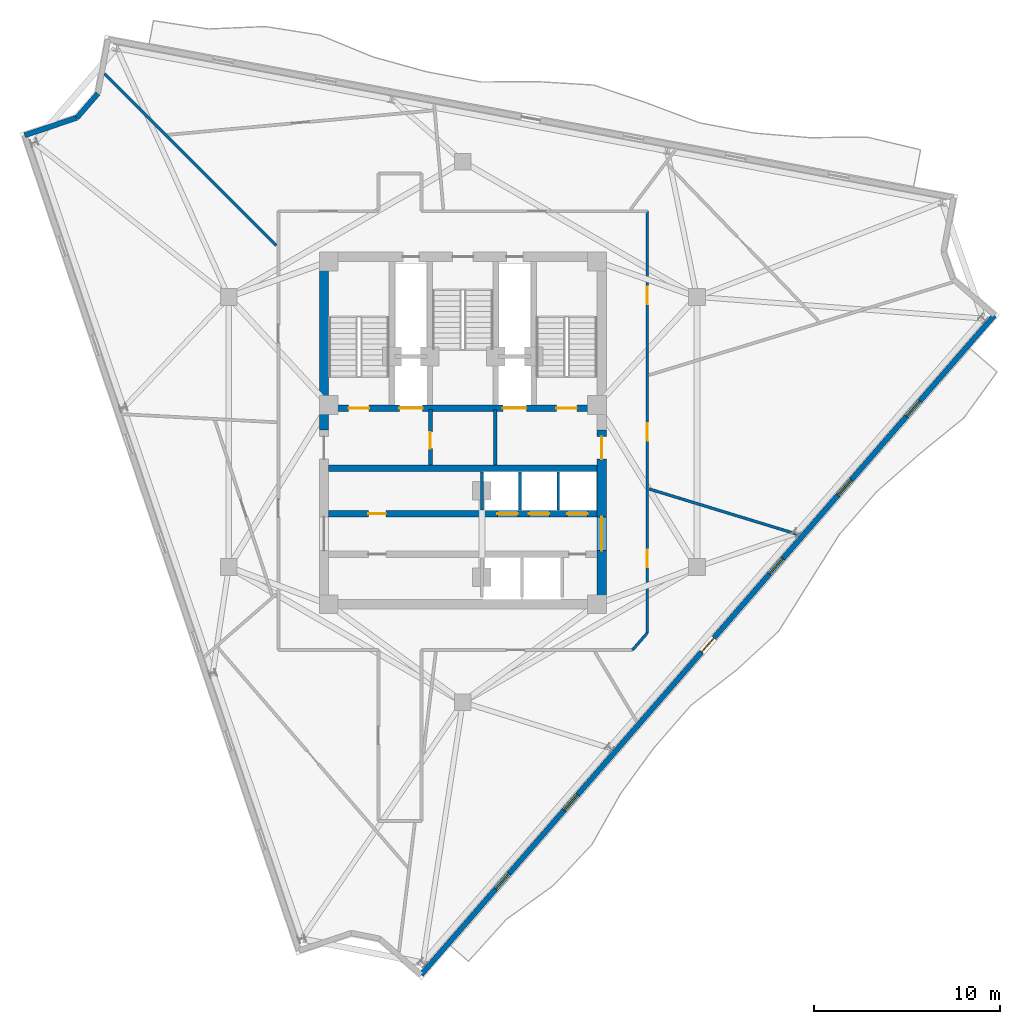
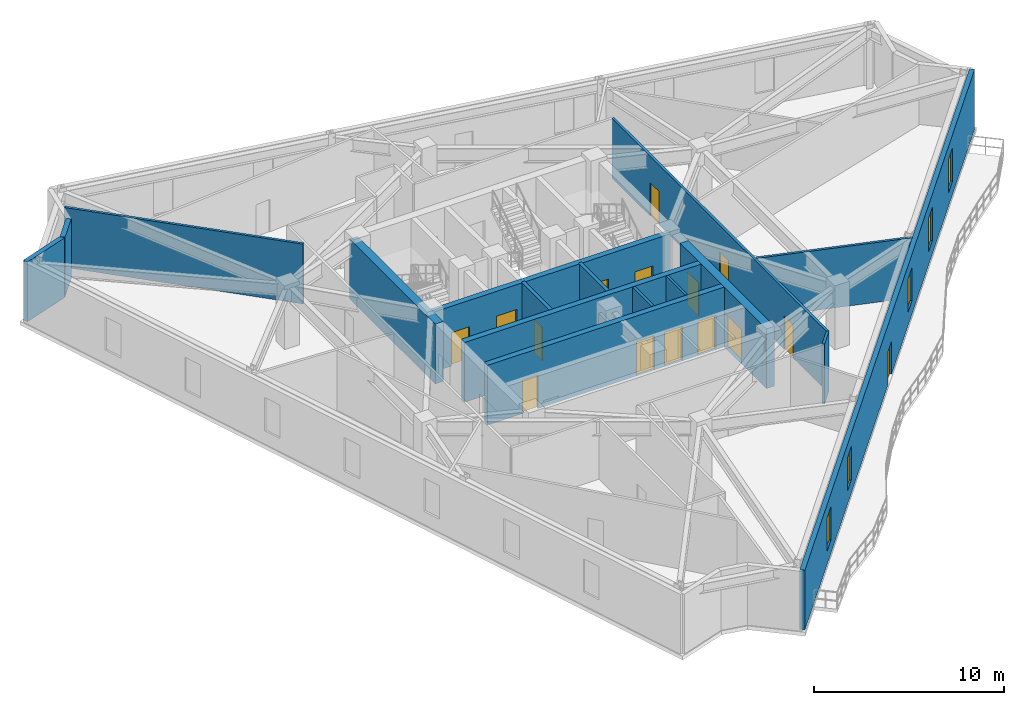
# One storey, part 5 of 10: 17 walls, 15 doors, 5 windows, 20 openings.
"""IFC4 building model written with IfcOpenShell, lengths in metres."""

from ifc_helpers import new_model, si_unit, direction, frame, frame_2d, origin, place, context, subcontext, project, spatial, rectangle, extrude, material, layer, layer_set, type_object, element, fill, save


model = new_model("IFC4")

# Units and contexts
model_context = context("Model", 3, precision=1e-05, world=origin(), true_north=direction((0.0, 1.0)))
body_context = subcontext(model_context, "Body", "Model", "MODEL_VIEW")
ifc_project = project(units=[si_unit("LENGTHUNIT", "METRE"), si_unit("AREAUNIT", "SQUARE_METRE"), si_unit("VOLUMEUNIT", "CUBIC_METRE"), si_unit("PLANEANGLEUNIT", "RADIAN"), si_unit("MASSUNIT", "GRAM", prefix="KILO")], contexts=[model_context])

# Site, building, storey
site_placement = place(None, origin())
site = spatial("IfcSite", under=ifc_project, at=site_placement, CompositionType="ELEMENT")
building_placement = place(site_placement, origin())
building = spatial("IfcBuilding", under=site, at=building_placement, Name="Apsidion Concourse Tower", CompositionType="ELEMENT")
storey_placement = place(building_placement, frame((0.0, 0.0, 286.0)))
storey = spatial("IfcBuildingStorey", under=building, at=storey_placement, Name="L67", CompositionType="ELEMENT", Elevation=286.0)

# Wall, openings, door, windows
ifc_material_1 = material(Name="Precast concrete C40/50", Category="concrete")
ifc_layer_1 = layer(ifc_material_1, 0.280029296875)
ifc_layer_set_1 = layer_set([ifc_layer_1], Name="Precast concrete C40/50")
wall_type_1 = type_object("IfcWallType", Name="WL-EXT-280", PredefinedType="STANDARD", material=ifc_layer_set_1)
wall_1_placement = place(storey_placement, frame((28.531494140625, 6.267578125, 0.0), z_axis=(0.0, 0.0, 1.0), x_axis=(-0.656055748756, -0.754712431674, 0.0)))
wall_1 = element("IfcWall", 1, at=wall_1_placement, inside=storey, type_object=wall_type_1, Name="L67 Precast Stone Facade Wall 05", PredefinedType="STANDARD", context=body_context, shape_type="SweptSolid", body=[
    extrude(rectangle(XDim=46.89697265625, YDim=0.280029296875, at=frame_2d((23.448486328125, 0.0))), origin(), (0.0, 0.0, 1.0), 3.85009765625),
])
opening_1_placement = place(wall_1_placement, frame((22.948486328125, 0.0, 0.0)))
opening_1 = element("IfcOpeningElement", 2, at=opening_1_placement, cuts=wall_1, Name="Opening D-T1R", PredefinedType="OPENING", context=body_context, shape_type="SweptSolid", body=[
    extrude(rectangle(XDim=1.0, YDim=2.14990234375, at=frame_2d((0.5, 1.074951171875))), frame((0.0, 0.14990234375, 0.0), z_axis=(0.0, -1.0, 0.0), x_axis=(1.0, 0.0, 0.0)), (0.0, 0.0, 1.0), 0.300048828125),
])
opening_2_placement = place(wall_1_placement, frame((6.0986328125, 0.0, 0.85009765625)))
opening_2 = element("IfcOpeningElement", 3, at=opening_2_placement, cuts=wall_1, Name="Opening WN-07", PredefinedType="OPENING", context=body_context, shape_type="SweptSolid", body=[
    extrude(rectangle(XDim=1.10009765625, YDim=2.14990234375, at=frame_2d((0.550048828125, 1.074951171875))), frame((0.0, 0.14990234375, 0.0), z_axis=(0.0, -1.0, 0.0), x_axis=(1.0, 0.0, 0.0)), (0.0, 0.0, 1.0), 0.300048828125),
])
opening_3_placement = place(wall_1_placement, frame((11.698486328125, 0.0, 0.85009765625)))
opening_3 = element("IfcOpeningElement", 4, at=opening_3_placement, cuts=wall_1, Name="Opening WN-07", PredefinedType="OPENING", context=body_context, shape_type="SweptSolid", body=[
    extrude(rectangle(XDim=1.10009765625, YDim=2.14990234375, at=frame_2d((0.550048828125, 1.074951171875))), frame((0.0, 0.14990234375, 0.0), z_axis=(0.0, -1.0, 0.0), x_axis=(1.0, 0.0, 0.0)), (0.0, 0.0, 1.0), 0.300048828125),
])
opening_4_placement = place(wall_1_placement, frame((17.298583984375, 0.0, 0.85009765625)))
opening_4 = element("IfcOpeningElement", 5, at=opening_4_placement, cuts=wall_1, Name="Opening WN-07", PredefinedType="OPENING", context=body_context, shape_type="SweptSolid", body=[
    extrude(rectangle(XDim=1.10009765625, YDim=2.14990234375, at=frame_2d((0.550048828125, 1.074951171875))), frame((0.0, 0.14990234375, 0.0), z_axis=(0.0, -1.0, 0.0), x_axis=(1.0, 0.0, 0.0)), (0.0, 0.0, 1.0), 0.300048828125),
])
opening_5_placement = place(wall_1_placement, frame((34.0986328125, 0.0, 0.85009765625)))
opening_5 = element("IfcOpeningElement", 6, at=opening_5_placement, cuts=wall_1, Name="Opening WN-07", PredefinedType="OPENING", context=body_context, shape_type="SweptSolid", body=[
    extrude(rectangle(XDim=1.10009765625, YDim=2.14990234375, at=frame_2d((0.550048828125, 1.074951171875))), frame((0.0, 0.14990234375, 0.0), z_axis=(0.0, -1.0, 0.0), x_axis=(1.0, 0.0, 0.0)), (0.0, 0.0, 1.0), 0.300048828125),
])
opening_6_placement = place(wall_1_placement, frame((39.698486328125, 0.0, 0.85009765625)))
opening_6 = element("IfcOpeningElement", 7, at=opening_6_placement, cuts=wall_1, Name="Opening WN-07", PredefinedType="OPENING", context=body_context, shape_type="SweptSolid", body=[
    extrude(rectangle(XDim=1.10009765625, YDim=2.14990234375, at=frame_2d((0.550048828125, 1.074951171875))), frame((0.0, 0.14990234375, 0.0), z_axis=(0.0, -1.0, 0.0), x_axis=(1.0, 0.0, 0.0)), (0.0, 0.0, 1.0), 0.300048828125),
])
ifc_material_2 = material(Name="Anodised aluminium EN AW-6063 T6", Category="aluminium")
door_type_1 = type_object("IfcDoorType", Name="DR-TER-1022R", OperationType="SINGLE_SWING_RIGHT", PredefinedType="DOOR", material=ifc_material_2)
door_1_placement = place(opening_1_placement, origin())
door_1 = element("IfcDoor", 8, at=door_1_placement, inside=storey, type_object=door_type_1, Name="L67 Balcony Access Door 1", OperationType="SINGLE_SWING_RIGHT", OverallHeight=2.14990234375, OverallWidth=1.0, PredefinedType="DOOR", context=body_context, shape_type="SweptSolid", body=[
    extrude(rectangle(XDim=1.0, YDim=2.14990234375, at=frame_2d((0.5, 1.074951171875))), frame((0.0, 0.02490234375, 0.0), z_axis=(0.0, -1.0, 0.0), x_axis=(1.0, 0.0, 0.0)), (0.0, 0.0, 1.0), 0.050048828125),
])
fill(opening_1, door_1)
ifc_material_3 = material(Name="Insulated laminated low-E glass", Category="glass")
window_type = type_object("IfcWindowType", Name="WN-OFF-1123", PartitioningType="SINGLE_PANEL", PredefinedType="WINDOW", material=ifc_material_3)
window_1_placement = place(opening_2_placement, origin())
window_1 = element("IfcWindow", 9, at=window_1_placement, inside=storey, type_object=window_type, Name="L67 Punched Facade Window 5-01", OverallHeight=2.14990234375, OverallWidth=1.10009765625, PartitioningType="SINGLE_PANEL", PredefinedType="WINDOW", context=body_context, shape_type="SweptSolid", body=[
    extrude(rectangle(XDim=1.10009765625, YDim=2.14990234375, at=frame_2d((0.550048828125, 1.074951171875))), frame((0.0, 0.030029296875, 0.0), z_axis=(0.0, -1.0, 0.0), x_axis=(1.0, 0.0, 0.0)), (0.0, 0.0, 1.0), 0.06005859375),
])
fill(opening_2, window_1)
window_2_placement = place(opening_3_placement, origin())
window_2 = element("IfcWindow", 10, at=window_2_placement, inside=storey, type_object=window_type, Name="L67 Punched Facade Window 5-02", OverallHeight=2.14990234375, OverallWidth=1.10009765625, PartitioningType="SINGLE_PANEL", PredefinedType="WINDOW", context=body_context, shape_type="SweptSolid", body=[
    extrude(rectangle(XDim=1.10009765625, YDim=2.14990234375, at=frame_2d((0.550048828125, 1.074951171875))), frame((0.0, 0.030029296875, 0.0), z_axis=(0.0, -1.0, 0.0), x_axis=(1.0, 0.0, 0.0)), (0.0, 0.0, 1.0), 0.06005859375),
])
fill(opening_3, window_2)
window_3_placement = place(opening_4_placement, origin())
window_3 = element("IfcWindow", 11, at=window_3_placement, inside=storey, type_object=window_type, Name="L67 Punched Facade Window 5-03", OverallHeight=2.14990234375, OverallWidth=1.10009765625, PartitioningType="SINGLE_PANEL", PredefinedType="WINDOW", context=body_context, shape_type="SweptSolid", body=[
    extrude(rectangle(XDim=1.10009765625, YDim=2.14990234375, at=frame_2d((0.550048828125, 1.074951171875))), frame((0.0, 0.030029296875, 0.0), z_axis=(0.0, -1.0, 0.0), x_axis=(1.0, 0.0, 0.0)), (0.0, 0.0, 1.0), 0.06005859375),
])
fill(opening_4, window_3)
window_4_placement = place(opening_5_placement, origin())
window_4 = element("IfcWindow", 12, at=window_4_placement, inside=storey, type_object=window_type, Name="L67 Punched Facade Window 5-06", OverallHeight=2.14990234375, OverallWidth=1.10009765625, PartitioningType="SINGLE_PANEL", PredefinedType="WINDOW", context=body_context, shape_type="SweptSolid", body=[
    extrude(rectangle(XDim=1.10009765625, YDim=2.14990234375, at=frame_2d((0.550048828125, 1.074951171875))), frame((0.0, 0.030029296875, 0.0), z_axis=(0.0, -1.0, 0.0), x_axis=(1.0, 0.0, 0.0)), (0.0, 0.0, 1.0), 0.06005859375),
])
fill(opening_5, window_4)
window_5_placement = place(opening_6_placement, origin())
window_5 = element("IfcWindow", 13, at=window_5_placement, inside=storey, type_object=window_type, Name="L67 Punched Facade Window 5-07", OverallHeight=2.14990234375, OverallWidth=1.10009765625, PartitioningType="SINGLE_PANEL", PredefinedType="WINDOW", context=body_context, shape_type="SweptSolid", body=[
    extrude(rectangle(XDim=1.10009765625, YDim=2.14990234375, at=frame_2d((0.550048828125, 1.074951171875))), frame((0.0, 0.030029296875, 0.0), z_axis=(0.0, -1.0, 0.0), x_axis=(1.0, 0.0, 0.0)), (0.0, 0.0, 1.0), 0.06005859375),
])
fill(opening_6, window_5)

# Walls
wall_2_placement = place(storey_placement, frame((-23.511474609375, 15.92431640625, 0.0), z_axis=(0.0, 0.0, 1.0), x_axis=(0.9478040536, 0.31885337693, 0.0)))
element("IfcWall", 14, at=wall_2_placement, inside=storey, type_object=wall_type_1, Name="L67 Precast Stone Facade Wall 10", PredefinedType="STANDARD", context=body_context, shape_type="SweptSolid", body=[
    extrude(rectangle(XDim=2.95556640625, YDim=0.280029296875, at=frame_2d((1.477783203125, 0.0))), origin(), (0.0, 0.0, 1.0), 3.85009765625),
])
wall_3_placement = place(storey_placement, frame((-20.710205078125, 16.86669921875, 0.0), z_axis=(0.0, 0.0, 1.0), x_axis=(0.656062411204, 0.754706640096, 0.0)))
element("IfcWall", 15, at=wall_3_placement, inside=storey, type_object=wall_type_1, Name="L67 Precast Stone Facade Wall 11", PredefinedType="STANDARD", context=body_context, shape_type="SweptSolid", body=[
    extrude(rectangle(XDim=1.715087890625, YDim=0.280029296875, at=frame_2d((0.857421875, 0.0))), origin(), (0.0, 0.0, 1.0), 3.85009765625),
])
ifc_material_4 = material(Name="Gypsum plasterboard partition")
ifc_layer_2 = layer(ifc_material_4, 0.14990234375)
ifc_layer_set_2 = layer_set([ifc_layer_2], Name="Gypsum plasterboard partition")
wall_type_2 = type_object("IfcWallType", Name="WL-INT-PAR-150", PredefinedType="PARTITIONING", material=ifc_layer_set_2)
for number, where, z_axis, x_axis, name in (
    (16, (3.074951171875, -4.179931640625, 0.0), (0.0, 0.0, 1.0), (0.0, 1.0, 0.0), "L67 Interior Partition WL-L67-B3DIV-1"),
    (17, (5.125, -4.179931640625, 0.0), (0.0, 0.0, 1.0), (0.0, 1.0, 0.0), "L67 Interior Partition WL-L67-B3DIV-2"),
):
    element("IfcWall", number, at=place(storey_placement, frame(where, z_axis=z_axis, x_axis=x_axis)), inside=storey, type_object=wall_type_2, Name=name, PredefinedType="PARTITIONING", context=body_context, shape_type="SweptSolid", body=[
        extrude(rectangle(XDim=2.030029296875, YDim=0.14990234375, at=frame_2d((1.01513671875, 0.0))), origin(), (0.0, 0.0, 1.0), 3.85009765625),
    ])

# Wall, openings, doors
wall_4_placement = place(storey_placement, frame((9.89990234375, 11.85009765625, 0.0), z_axis=(0.0, 0.0, 1.0), x_axis=(0.0, -1.0, 0.0)))
wall_4 = element("IfcWall", 18, at=wall_4_placement, inside=storey, type_object=wall_type_2, Name="L67 Interior Partition WL-L67-CORR-08", PredefinedType="PARTITIONING", context=body_context, shape_type="SweptSolid", body=[
    extrude(rectangle(XDim=22.633544921875, YDim=0.14990234375, at=frame_2d((11.31689453125, 0.0))), origin(), (0.0, 0.0, 1.0), 3.85009765625),
])
opening_7_placement = place(wall_4_placement, frame((18.166015625, 0.0, 0.0)))
opening_7 = element("IfcOpeningElement", 19, at=opening_7_placement, cuts=wall_4, Name="Opening D-01R", PredefinedType="OPENING", context=body_context, shape_type="SweptSolid", body=[
    extrude(rectangle(XDim=0.949951171875, YDim=2.14990234375, at=frame_2d((0.47509765625, 1.074951171875))), frame((0.0, 0.0849609375, 0.0), z_axis=(0.0, -1.0, 0.0), x_axis=(1.0, 0.0, 0.0)), (0.0, 0.0, 1.0), 0.169921875),
])
opening_8_placement = place(wall_4_placement, frame((11.3759765625, 0.0, 0.0)))
opening_8 = element("IfcOpeningElement", 20, at=opening_8_placement, cuts=wall_4, Name="Opening D-01L", PredefinedType="OPENING", context=body_context, shape_type="SweptSolid", body=[
    extrude(rectangle(XDim=0.949951171875, YDim=2.14990234375, at=frame_2d((0.47509765625, 1.074951171875))), frame((0.0, 0.0849609375, 0.0), z_axis=(0.0, -1.0, 0.0), x_axis=(1.0, 0.0, 0.0)), (0.0, 0.0, 1.0), 0.169921875),
])
opening_9_placement = place(wall_4_placement, frame((4.04931640625, 0.0, 0.0)))
opening_9 = element("IfcOpeningElement", 21, at=opening_9_placement, cuts=wall_4, Name="Opening D-01R", PredefinedType="OPENING", context=body_context, shape_type="SweptSolid", body=[
    extrude(rectangle(XDim=0.949951171875, YDim=2.14990234375, at=frame_2d((0.47509765625, 1.074951171875))), frame((0.0, 0.0849609375, 0.0), z_axis=(0.0, -1.0, 0.0), x_axis=(1.0, 0.0, 0.0)), (0.0, 0.0, 1.0), 0.169921875),
])
ifc_material_5 = material(Name="Brushed stainless steel 316", Category="steel")
door_type_2 = type_object("IfcDoorType", Name="DR-INT-D01L", OperationType="SINGLE_SWING_LEFT", PredefinedType="DOOR", material=ifc_material_5)
door_2_placement = place(opening_8_placement, origin())
door_2 = element("IfcDoor", 22, at=door_2_placement, inside=storey, type_object=door_type_2, Name="L67 Corridor Entry Door 05", OperationType="SINGLE_SWING_LEFT", OverallHeight=2.14990234375, OverallWidth=0.949951171875, PredefinedType="DOOR", context=body_context, shape_type="SweptSolid", body=[
    extrude(rectangle(XDim=0.949951171875, YDim=2.14990234375, at=frame_2d((0.47509765625, 1.074951171875))), frame((0.0, 0.02490234375, 0.0), z_axis=(0.0, -1.0, 0.0), x_axis=(1.0, 0.0, 0.0)), (0.0, 0.0, 1.0), 0.050048828125),
])
fill(opening_8, door_2)
door_type_3 = type_object("IfcDoorType", Name="DR-INT-D01R", OperationType="SINGLE_SWING_RIGHT", PredefinedType="DOOR", material=ifc_material_5)
door_3_placement = place(opening_7_placement, origin())
door_3 = element("IfcDoor", 23, at=door_3_placement, inside=storey, type_object=door_type_3, Name="L67 Corridor Entry Door 04", OperationType="SINGLE_SWING_RIGHT", OverallHeight=2.14990234375, OverallWidth=0.949951171875, PredefinedType="DOOR", context=body_context, shape_type="SweptSolid", body=[
    extrude(rectangle(XDim=0.949951171875, YDim=2.14990234375, at=frame_2d((0.47509765625, 1.074951171875))), frame((0.0, 0.02490234375, 0.0), z_axis=(0.0, -1.0, 0.0), x_axis=(1.0, 0.0, 0.0)), (0.0, 0.0, 1.0), 0.050048828125),
])
fill(opening_7, door_3)
door_4_placement = place(opening_9_placement, origin())
door_4 = element("IfcDoor", 24, at=door_4_placement, inside=storey, type_object=door_type_3, Name="L67 Corridor Entry Door 06", OperationType="SINGLE_SWING_RIGHT", OverallHeight=2.14990234375, OverallWidth=0.949951171875, PredefinedType="DOOR", context=body_context, shape_type="SweptSolid", body=[
    extrude(rectangle(XDim=0.949951171875, YDim=2.14990234375, at=frame_2d((0.47509765625, 1.074951171875))), frame((0.0, 0.02490234375, 0.0), z_axis=(0.0, -1.0, 0.0), x_axis=(1.0, 0.0, 0.0)), (0.0, 0.0, 1.0), 0.050048828125),
])
fill(opening_9, door_4)

# Walls
wall_5_placement = place(storey_placement, frame((9.89990234375, -10.783447265625, 0.0), z_axis=(0.0, 0.0, 1.0), x_axis=(-0.656024397367, -0.754739683639, 0.0)))
element("IfcWall", 25, at=wall_5_placement, inside=storey, type_object=wall_type_2, Name="L67 Interior Partition WL-L67-CORR-09", PredefinedType="PARTITIONING", context=body_context, shape_type="SweptSolid", body=[
    extrude(rectangle(XDim=1.21435546875, YDim=0.14990234375, at=frame_2d((0.607177734375, 0.0))), origin(), (0.0, 0.0, 1.0), 3.85009765625),
])
wall_6_placement = place(storey_placement, frame((-10.0048828125, 10.0048828125, 0.0), z_axis=(0.0, 0.0, 1.0), x_axis=(-0.707106781187, 0.707106781187, 0.0)))
element("IfcWall", 26, at=wall_6_placement, inside=storey, type_object=wall_type_2, Name="L67 Interior Partition WL-L67-RAD-04-1", PredefinedType="PARTITIONING", context=body_context, shape_type="SweptSolid", body=[
    extrude(rectangle(XDim=13.043212890625, YDim=0.14990234375, at=frame_2d((6.521484375, 0.0))), origin(), (0.0, 0.0, 1.0), 3.85009765625),
])
wall_7_placement = place(storey_placement, frame((10.0048828125, -3.058837890625, 0.0), z_axis=(0.0, 0.0, 1.0), x_axis=(0.956307313921, -0.292363337887, 0.0)))
element("IfcWall", 27, at=wall_7_placement, inside=storey, type_object=wall_type_2, Name="L67 Interior Partition WL-L67-RAD-09-1", PredefinedType="PARTITIONING", context=body_context, shape_type="SweptSolid", body=[
    extrude(rectangle(XDim=8.438232421875, YDim=0.14990234375, at=frame_2d((4.21923828125, 0.0))), origin(), (0.0, 0.0, 1.0), 3.85009765625),
])
ifc_layer_3 = layer(ifc_material_4, 0.179931640625)
ifc_layer_set_3 = layer_set([ifc_layer_3], Name="Gypsum plasterboard partition")
wall_type_3 = type_object("IfcWallType", Name="WL-INT-PAR-180", PredefinedType="PARTITIONING", material=ifc_layer_set_3)
wall_8_placement = place(storey_placement, frame((1.02490234375, -4.179931640625, 0.0), z_axis=(0.0, 0.0, 1.0), x_axis=(0.0, 1.0, 0.0)))
element("IfcWall", 28, at=wall_8_placement, inside=storey, type_object=wall_type_3, Name="L67 Interior Partition WL-L67-B1END", PredefinedType="PARTITIONING", context=body_context, shape_type="SweptSolid", body=[
    extrude(rectangle(XDim=2.030029296875, YDim=0.179931640625, at=frame_2d((1.01513671875, 0.0))), origin(), (0.0, 0.0, 1.0), 2.89794921875),
])

# Wall, opening, door
ifc_layer_4 = layer(ifc_material_4, 0.199951171875)
ifc_layer_set_4 = layer_set([ifc_layer_4], Name="Gypsum plasterboard partition")
wall_type_4 = type_object("IfcWallType", Name="WL-INT-PAR-200", PredefinedType="PARTITIONING", material=ifc_layer_set_4)
wall_9_placement = place(storey_placement, frame((-1.739990234375, -1.780029296875, 0.0), z_axis=(0.0, 0.0, 1.0), x_axis=(0.0, 1.0, 0.0)))
wall_9 = element("IfcWall", 29, at=wall_9_placement, inside=storey, type_object=wall_type_4, Name="L67 Interior Partition WL-L67-FF1-E", PredefinedType="PARTITIONING", context=body_context, shape_type="SweptSolid", body=[
    extrude(rectangle(XDim=2.97998046875, YDim=0.199951171875, at=frame_2d((1.489990234375, 0.0))), origin(), (0.0, 0.0, 1.0), 3.85009765625),
])
opening_10_placement = place(wall_9_placement, frame((0.889892578125, 0.0, 0.0)))
opening_10 = element("IfcOpeningElement", 30, at=opening_10_placement, cuts=wall_9, Name="Opening D-05R", PredefinedType="OPENING", context=body_context, shape_type="SweptSolid", body=[
    extrude(rectangle(XDim=0.8798828125, YDim=2.14990234375, at=frame_2d((0.43994140625, 1.074951171875))), frame((0.0, 0.10986328125, 0.0), z_axis=(0.0, -1.0, 0.0), x_axis=(1.0, 0.0, 0.0)), (0.0, 0.0, 1.0), 0.219970703125),
])
door_type_4 = type_object("IfcDoorType", Name="DR-INT-D05R", OperationType="SINGLE_SWING_RIGHT", PredefinedType="DOOR", material=ifc_material_5)
door_5_placement = place(opening_10_placement, origin())
door_5 = element("IfcDoor", 31, at=door_5_placement, inside=storey, type_object=door_type_4, Name="L67 Core BMS Door", OperationType="SINGLE_SWING_RIGHT", OverallHeight=2.14990234375, OverallWidth=0.8798828125, PredefinedType="DOOR", context=body_context, shape_type="SweptSolid", body=[
    extrude(rectangle(XDim=0.8798828125, YDim=2.14990234375, at=frame_2d((0.43994140625, 1.074951171875))), frame((0.0, 0.02490234375, 0.0), z_axis=(0.0, -1.0, 0.0), x_axis=(1.0, 0.0, 0.0)), (0.0, 0.0, 1.0), 0.050048828125),
])
fill(opening_10, door_5)

# Wall
wall_10_placement = place(storey_placement, frame((1.739990234375, -1.780029296875, 0.0), z_axis=(0.0, 0.0, 1.0), x_axis=(0.0, 1.0, 0.0)))
element("IfcWall", 32, at=wall_10_placement, inside=storey, type_object=wall_type_4, Name="L67 Interior Partition WL-L67-FF2-W", PredefinedType="PARTITIONING", context=body_context, shape_type="SweptSolid", body=[
    extrude(rectangle(XDim=2.97998046875, YDim=0.199951171875, at=frame_2d((1.489990234375, 0.0))), origin(), (0.0, 0.0, 1.0), 3.85009765625),
])

# Wall, openings, doors
ifc_material_6 = material(Name="Concrete C50/60", Category="concrete")
ifc_layer_5 = layer(ifc_material_6, 0.35009765625)
ifc_layer_set_5 = layer_set([ifc_layer_5], Name="Concrete C50/60")
wall_type_5 = type_object("IfcWallType", Name="WL-SH-350", PredefinedType="SHEAR", material=ifc_layer_set_5)
wall_11_placement = place(storey_placement, frame((-7.199951171875, 1.27490234375, 0.0), z_axis=(0.0, 0.0, 1.0), x_axis=(1.0, 0.0, 0.0)))
wall_11 = element("IfcWall", 33, at=wall_11_placement, inside=storey, type_object=wall_type_5, Name="L67 Central Core Shear Wall M1", PredefinedType="SHEAR", context=body_context, shape_type="SweptSolid", body=[
    extrude(rectangle(XDim=14.39990234375, YDim=0.35009765625, at=frame_2d((7.199951171875, 0.0))), origin(), (0.0, 0.0, 1.0), 3.85009765625),
])
opening_11_placement = place(wall_11_placement, frame((3.794921875, 0.0, 0.0)))
opening_11 = element("IfcOpeningElement", 34, at=opening_11_placement, cuts=wall_11, Name="Opening LD-FF", PredefinedType="OPENING", context=body_context, shape_type="SweptSolid", body=[
    extrude(rectangle(XDim=1.25, YDim=2.25, at=frame_2d((0.625, 1.125))), frame((0.0, 0.18505859375, 0.0), z_axis=(0.0, -1.0, 0.0), x_axis=(1.0, 0.0, 0.0)), (0.0, 0.0, 1.0), 0.3701171875),
])
opening_12_placement = place(wall_11_placement, frame((9.35498046875, 0.0, 0.0)))
opening_12 = element("IfcOpeningElement", 35, at=opening_12_placement, cuts=wall_11, Name="Opening LD-FF", PredefinedType="OPENING", context=body_context, shape_type="SweptSolid", body=[
    extrude(rectangle(XDim=1.25, YDim=2.25, at=frame_2d((0.625, 1.125))), frame((0.0, 0.18505859375, 0.0), z_axis=(0.0, -1.0, 0.0), x_axis=(1.0, 0.0, 0.0)), (0.0, 0.0, 1.0), 0.3701171875),
])
opening_13_placement = place(wall_11_placement, frame((1.074951171875, 0.0, 0.0)))
opening_13 = element("IfcOpeningElement", 36, at=opening_13_placement, cuts=wall_11, Name="Opening D-STL", PredefinedType="OPENING", context=body_context, shape_type="SweptSolid", body=[
    extrude(rectangle(XDim=1.10009765625, YDim=2.14990234375, at=frame_2d((0.550048828125, 1.074951171875))), frame((0.0, 0.18505859375, 0.0), z_axis=(0.0, -1.0, 0.0), x_axis=(1.0, 0.0, 0.0)), (0.0, 0.0, 1.0), 0.3701171875),
])
opening_14_placement = place(wall_11_placement, frame((12.22509765625, 0.0, 0.0)))
opening_14 = element("IfcOpeningElement", 37, at=opening_14_placement, cuts=wall_11, Name="Opening D-STR", PredefinedType="OPENING", context=body_context, shape_type="SweptSolid", body=[
    extrude(rectangle(XDim=1.10009765625, YDim=2.14990234375, at=frame_2d((0.550048828125, 1.074951171875))), frame((0.0, 0.18505859375, 0.0), z_axis=(0.0, -1.0, 0.0), x_axis=(1.0, 0.0, 0.0)), (0.0, 0.0, 1.0), 0.3701171875),
])
door_type_5 = type_object("IfcDoorType", Name="DR-INT-ST1L", OperationType="SINGLE_SWING_LEFT", PredefinedType="DOOR", material=ifc_material_5)
door_6_placement = place(opening_13_placement, origin())
door_6 = element("IfcDoor", 38, at=door_6_placement, inside=storey, type_object=door_type_5, Name="L67 Core Exit Stair ST1 Door", OperationType="SINGLE_SWING_LEFT", OverallHeight=2.14990234375, OverallWidth=1.10009765625, PredefinedType="DOOR", context=body_context, shape_type="SweptSolid", body=[
    extrude(rectangle(XDim=1.10009765625, YDim=2.14990234375, at=frame_2d((0.550048828125, 1.074951171875))), frame((0.0, 0.02490234375, 0.0), z_axis=(0.0, -1.0, 0.0), x_axis=(1.0, 0.0, 0.0)), (0.0, 0.0, 1.0), 0.050048828125),
])
fill(opening_13, door_6)
door_type_6 = type_object("IfcDoorType", Name="DR-INT-ST1R", OperationType="SINGLE_SWING_RIGHT", PredefinedType="DOOR", material=ifc_material_5)
door_7_placement = place(opening_14_placement, origin())
door_7 = element("IfcDoor", 39, at=door_7_placement, inside=storey, type_object=door_type_6, Name="L67 Core Exit Stair ST2 Door", OperationType="SINGLE_SWING_RIGHT", OverallHeight=2.14990234375, OverallWidth=1.10009765625, PredefinedType="DOOR", context=body_context, shape_type="SweptSolid", body=[
    extrude(rectangle(XDim=1.10009765625, YDim=2.14990234375, at=frame_2d((0.550048828125, 1.074951171875))), frame((0.0, 0.02490234375, 0.0), z_axis=(0.0, -1.0, 0.0), x_axis=(1.0, 0.0, 0.0)), (0.0, 0.0, 1.0), 0.050048828125),
])
fill(opening_14, door_7)
door_type_7 = type_object("IfcDoorType", Name="DR-LD-FSAE", OperationType="DOUBLE_DOOR_SLIDING", PredefinedType="DOOR", material=ifc_material_5)
door_8_placement = place(opening_11_placement, origin())
door_8 = element("IfcDoor", 40, at=door_8_placement, inside=storey, type_object=door_type_7, Name="L67 Lift Landing Door FF1", OperationType="DOUBLE_DOOR_SLIDING", OverallHeight=2.25, OverallWidth=1.25, PredefinedType="DOOR", context=body_context, shape_type="SweptSolid", body=[
    extrude(rectangle(XDim=1.25, YDim=2.25, at=frame_2d((0.625, 1.125))), frame((0.0, 0.02490234375, 0.0), z_axis=(0.0, -1.0, 0.0), x_axis=(1.0, 0.0, 0.0)), (0.0, 0.0, 1.0), 0.050048828125),
])
fill(opening_11, door_8)
door_9_placement = place(opening_12_placement, origin())
door_9 = element("IfcDoor", 41, at=door_9_placement, inside=storey, type_object=door_type_7, Name="L67 Lift Landing Door FF2", OperationType="DOUBLE_DOOR_SLIDING", OverallHeight=2.25, OverallWidth=1.25, PredefinedType="DOOR", context=body_context, shape_type="SweptSolid", body=[
    extrude(rectangle(XDim=1.25, YDim=2.25, at=frame_2d((0.625, 1.125))), frame((0.0, 0.02490234375, 0.0), z_axis=(0.0, -1.0, 0.0), x_axis=(1.0, 0.0, 0.0)), (0.0, 0.0, 1.0), 0.050048828125),
])
fill(opening_12, door_9)

# Wall
wall_12_placement = place(storey_placement, frame((-7.199951171875, -1.949951171875, 0.0), z_axis=(0.0, 0.0, 1.0), x_axis=(1.0, 0.0, 0.0)))
element("IfcWall", 42, at=wall_12_placement, inside=storey, type_object=wall_type_5, Name="L67 Central Core Shear Wall M2", PredefinedType="SHEAR", context=body_context, shape_type="SweptSolid", body=[
    extrude(rectangle(XDim=14.39990234375, YDim=0.35009765625, at=frame_2d((7.199951171875, 0.0))), origin(), (0.0, 0.0, 1.0), 3.85009765625),
])

# Wall, openings, doors
wall_13_placement = place(storey_placement, frame((-7.199951171875, -4.3798828125, 0.0), z_axis=(0.0, 0.0, 1.0), x_axis=(1.0, 0.0, 0.0)))
wall_13 = element("IfcWall", 43, at=wall_13_placement, inside=storey, type_object=wall_type_5, Name="L67 Central Core Shear Wall LA", PredefinedType="SHEAR", context=body_context, shape_type="SweptSolid", body=[
    extrude(rectangle(XDim=14.39990234375, YDim=0.35009765625, at=frame_2d((7.199951171875, 0.0))), origin(), (0.0, 0.0, 1.0), 3.85009765625),
])
opening_15_placement = place(wall_13_placement, frame((9.050048828125, 0.0, 0.0)))
opening_15 = element("IfcOpeningElement", 44, at=opening_15_placement, cuts=wall_13, Name="Opening LD-P1", PredefinedType="OPENING", context=body_context, shape_type="SweptSolid", body=[
    extrude(rectangle(XDim=1.10009765625, YDim=2.199951171875, at=frame_2d((0.550048828125, 1.10009765625))), frame((0.0, 0.18505859375, 0.0), z_axis=(0.0, -1.0, 0.0), x_axis=(1.0, 0.0, 0.0)), (0.0, 0.0, 1.0), 0.3701171875),
])
opening_16_placement = place(wall_13_placement, frame((10.75, 0.0, 0.0)))
opening_16 = element("IfcOpeningElement", 45, at=opening_16_placement, cuts=wall_13, Name="Opening LD-P1", PredefinedType="OPENING", context=body_context, shape_type="SweptSolid", body=[
    extrude(rectangle(XDim=1.10009765625, YDim=2.199951171875, at=frame_2d((0.550048828125, 1.10009765625))), frame((0.0, 0.18505859375, 0.0), z_axis=(0.0, -1.0, 0.0), x_axis=(1.0, 0.0, 0.0)), (0.0, 0.0, 1.0), 0.3701171875),
])
opening_17_placement = place(wall_13_placement, frame((12.800048828125, 0.0, 0.0)))
opening_17 = element("IfcOpeningElement", 46, at=opening_17_placement, cuts=wall_13, Name="Opening LD-P1", PredefinedType="OPENING", context=body_context, shape_type="SweptSolid", body=[
    extrude(rectangle(XDim=1.10009765625, YDim=2.199951171875, at=frame_2d((0.550048828125, 1.10009765625))), frame((0.0, 0.18505859375, 0.0), z_axis=(0.0, -1.0, 0.0), x_axis=(1.0, 0.0, 0.0)), (0.0, 0.0, 1.0), 0.3701171875),
])
opening_18_placement = place(wall_13_placement, frame((2.125, 0.0, 0.0)))
opening_18 = element("IfcOpeningElement", 47, at=opening_18_placement, cuts=wall_13, Name="Opening D-04L", PredefinedType="OPENING", context=body_context, shape_type="SweptSolid", body=[
    extrude(rectangle(XDim=0.949951171875, YDim=2.14990234375, at=frame_2d((0.47509765625, 1.074951171875))), frame((0.0, 0.18505859375, 0.0), z_axis=(0.0, -1.0, 0.0), x_axis=(1.0, 0.0, 0.0)), (0.0, 0.0, 1.0), 0.3701171875),
])
door_type_8 = type_object("IfcDoorType", Name="DR-INT-D04L", OperationType="SINGLE_SWING_LEFT", PredefinedType="DOOR", material=ifc_material_5)
door_10_placement = place(opening_18_placement, origin())
door_10 = element("IfcDoor", 48, at=door_10_placement, inside=storey, type_object=door_type_8, Name="L67 Tenant Archive and Print Room Door", OperationType="SINGLE_SWING_LEFT", OverallHeight=2.14990234375, OverallWidth=0.949951171875, PredefinedType="DOOR", context=body_context, shape_type="SweptSolid", body=[
    extrude(rectangle(XDim=0.949951171875, YDim=2.14990234375, at=frame_2d((0.47509765625, 1.074951171875))), frame((0.0, 0.02490234375, 0.0), z_axis=(0.0, -1.0, 0.0), x_axis=(1.0, 0.0, 0.0)), (0.0, 0.0, 1.0), 0.050048828125),
])
fill(opening_18, door_10)
door_type_9 = type_object("IfcDoorType", Name="DR-LD-PASS", OperationType="DOUBLE_DOOR_SLIDING", PredefinedType="DOOR", material=ifc_material_5)
door_11_placement = place(opening_15_placement, origin())
door_11 = element("IfcDoor", 49, at=door_11_placement, inside=storey, type_object=door_type_9, Name="L67 Lift Landing Door P9", OperationType="DOUBLE_DOOR_SLIDING", OverallHeight=2.199951171875, OverallWidth=1.10009765625, PredefinedType="DOOR", context=body_context, shape_type="SweptSolid", body=[
    extrude(rectangle(XDim=1.10009765625, YDim=2.199951171875, at=frame_2d((0.550048828125, 1.10009765625))), frame((0.0, 0.02490234375, 0.0), z_axis=(0.0, -1.0, 0.0), x_axis=(1.0, 0.0, 0.0)), (0.0, 0.0, 1.0), 0.050048828125),
])
fill(opening_15, door_11)
door_12_placement = place(opening_16_placement, origin())
door_12 = element("IfcDoor", 50, at=door_12_placement, inside=storey, type_object=door_type_9, Name="L67 Lift Landing Door P10", OperationType="DOUBLE_DOOR_SLIDING", OverallHeight=2.199951171875, OverallWidth=1.10009765625, PredefinedType="DOOR", context=body_context, shape_type="SweptSolid", body=[
    extrude(rectangle(XDim=1.10009765625, YDim=2.199951171875, at=frame_2d((0.550048828125, 1.10009765625))), frame((0.0, 0.02490234375, 0.0), z_axis=(0.0, -1.0, 0.0), x_axis=(1.0, 0.0, 0.0)), (0.0, 0.0, 1.0), 0.050048828125),
])
fill(opening_16, door_12)
door_13_placement = place(opening_17_placement, origin())
door_13 = element("IfcDoor", 51, at=door_13_placement, inside=storey, type_object=door_type_9, Name="L67 Lift Landing Door P11", OperationType="DOUBLE_DOOR_SLIDING", OverallHeight=2.199951171875, OverallWidth=1.10009765625, PredefinedType="DOOR", context=body_context, shape_type="SweptSolid", body=[
    extrude(rectangle(XDim=1.10009765625, YDim=2.199951171875, at=frame_2d((0.550048828125, 1.10009765625))), frame((0.0, 0.02490234375, 0.0), z_axis=(0.0, -1.0, 0.0), x_axis=(1.0, 0.0, 0.0)), (0.0, 0.0, 1.0), 0.050048828125),
])
fill(opening_17, door_13)

# Wall
ifc_layer_6 = layer(ifc_material_6, 0.5)
ifc_layer_set_6 = layer_set([ifc_layer_6], Name="Concrete C50/60")
wall_type_6 = type_object("IfcWallType", Name="WL-SH-500", PredefinedType="SHEAR", material=ifc_layer_set_6)
wall_14_placement = place(storey_placement, frame((-7.449951171875, 0.10009765625, 0.0), z_axis=(0.0, 0.0, 1.0), x_axis=(0.0, 1.0, 0.0)))
element("IfcWall", 52, at=wall_14_placement, inside=storey, type_object=wall_type_6, Name="L67 Central Core Shear Wall WN", PredefinedType="SHEAR", context=body_context, shape_type="SweptSolid", body=[
    extrude(rectangle(XDim=9.0498046875, YDim=0.5, at=frame_2d((4.52490234375, 0.0))), origin(), (0.0, 0.0, 1.0), 3.85009765625),
])

# Wall, openings, doors
wall_15_placement = place(storey_placement, frame((7.449951171875, -9.0, 0.0), z_axis=(0.0, 0.0, 1.0), x_axis=(0.0, 1.0, 0.0)))
wall_15 = element("IfcWall", 53, at=wall_15_placement, inside=storey, type_object=wall_type_6, Name="L67 Central Core Shear Wall ES", PredefinedType="SHEAR", context=body_context, shape_type="SweptSolid", body=[
    extrude(rectangle(XDim=9.10009765625, YDim=0.5, at=frame_2d((4.550048828125, 0.0))), origin(), (0.0, 0.0, 1.0), 3.85009765625),
])
opening_19_placement = place(wall_15_placement, frame((2.639892578125, 0.0, 0.0)))
opening_19 = element("IfcOpeningElement", 54, at=opening_19_placement, cuts=wall_15, Name="Opening D-06D", PredefinedType="OPENING", context=body_context, shape_type="SweptSolid", body=[
    extrude(rectangle(XDim=1.800048828125, YDim=2.199951171875, at=frame_2d((0.89990234375, 1.10009765625))), frame((0.0, 0.260009765625, 0.0), z_axis=(0.0, -1.0, 0.0), x_axis=(1.0, 0.0, 0.0)), (0.0, 0.0, 1.0), 0.52001953125),
])
opening_20_placement = place(wall_15_placement, frame((7.550048828125, 0.0, 0.0)))
opening_20 = element("IfcOpeningElement", 55, at=opening_20_placement, cuts=wall_15, Name="Opening D-FFR", PredefinedType="OPENING", context=body_context, shape_type="SweptSolid", body=[
    extrude(rectangle(XDim=1.199951171875, YDim=2.14990234375, at=frame_2d((0.60009765625, 1.074951171875))), frame((0.0, 0.260009765625, 0.0), z_axis=(0.0, -1.0, 0.0), x_axis=(1.0, 0.0, 0.0)), (0.0, 0.0, 1.0), 0.52001953125),
])
door_type_10 = type_object("IfcDoorType", Name="DR-INT-D06D", OperationType="DOUBLE_DOOR_SINGLE_SWING", PredefinedType="DOOR", material=ifc_material_5)
door_14_placement = place(opening_19_placement, origin())
door_14 = element("IfcDoor", 56, at=door_14_placement, inside=storey, type_object=door_type_10, Name="L67 Passenger Lift Lobby ES Portal Door", OperationType="DOUBLE_DOOR_SINGLE_SWING", OverallHeight=2.199951171875, OverallWidth=1.800048828125, PredefinedType="DOOR", context=body_context, shape_type="SweptSolid", body=[
    extrude(rectangle(XDim=1.800048828125, YDim=2.199951171875, at=frame_2d((0.89990234375, 1.10009765625))), frame((0.0, 0.02490234375, 0.0), z_axis=(0.0, -1.0, 0.0), x_axis=(1.0, 0.0, 0.0)), (0.0, 0.0, 1.0), 0.050048828125),
])
fill(opening_19, door_14)
door_type_11 = type_object("IfcDoorType", Name="DR-INT-FFR", OperationType="SINGLE_SWING_RIGHT", PredefinedType="DOOR", material=ifc_material_5)
door_15_placement = place(opening_20_placement, origin())
door_15 = element("IfcDoor", 57, at=door_15_placement, inside=storey, type_object=door_type_11, Name="L67 Firefighting Lift Lobby FF2 Door", OperationType="SINGLE_SWING_RIGHT", OverallHeight=2.14990234375, OverallWidth=1.199951171875, PredefinedType="DOOR", context=body_context, shape_type="SweptSolid", body=[
    extrude(rectangle(XDim=1.199951171875, YDim=2.14990234375, at=frame_2d((0.60009765625, 1.074951171875))), frame((0.0, 0.02490234375, 0.0), z_axis=(0.0, -1.0, 0.0), x_axis=(1.0, 0.0, 0.0)), (0.0, 0.0, 1.0), 0.050048828125),
])
fill(opening_20, door_15)

save(model, "model.ifc")
